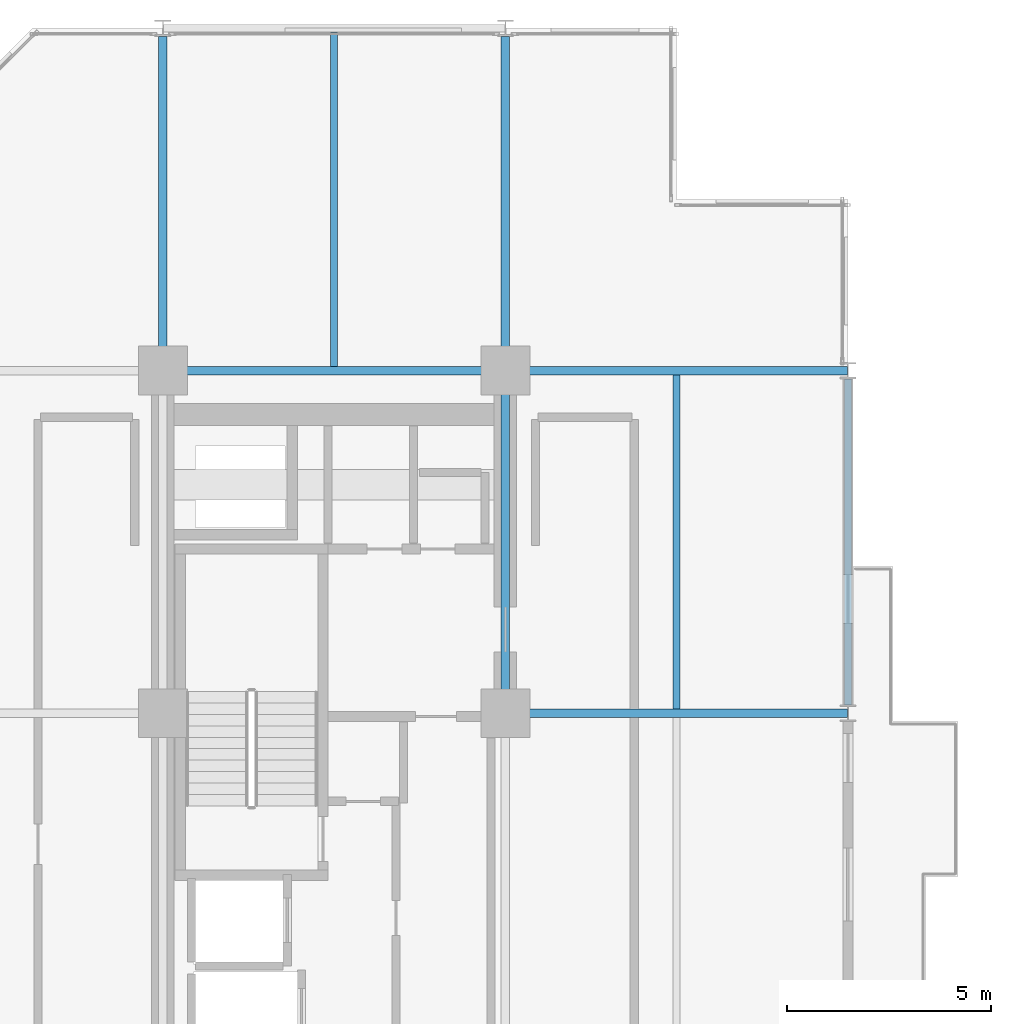
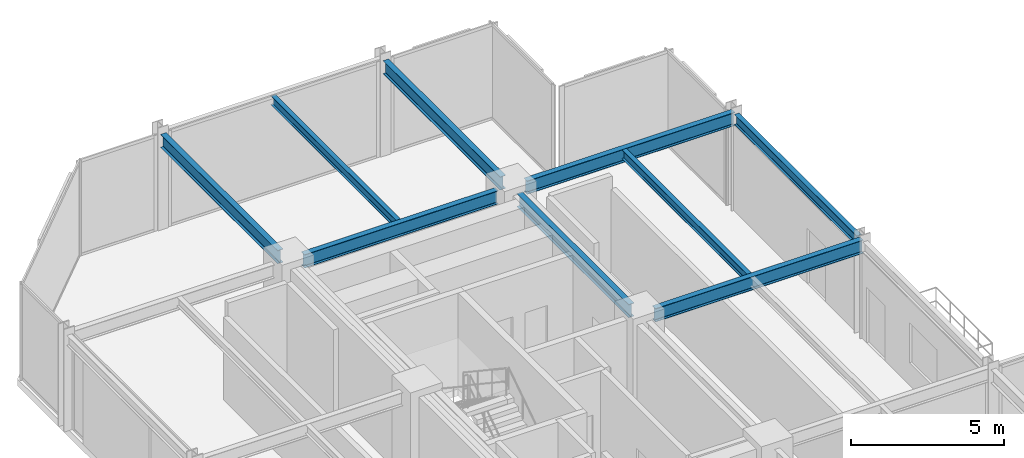
# One storey, part 19 of 29: 9 beams.
"""IFC4 building model written with IfcOpenShell, lengths in metres."""

from ifc_helpers import new_model, si_unit, direction, frame, origin, origin_2d, place, context, subcontext, project, spatial, i_section, extrude, material, material_profile, profile_set, type_object, element, save


model = new_model("IFC4")

# Units and contexts
model_context = context("Model", 3, precision=1e-05, world=origin(), true_north=direction((0.0, 1.0)))
body_context = subcontext(model_context, "Body", "Model", "MODEL_VIEW")
ifc_project = project(units=[si_unit("LENGTHUNIT", "METRE"), si_unit("AREAUNIT", "SQUARE_METRE"), si_unit("VOLUMEUNIT", "CUBIC_METRE"), si_unit("PLANEANGLEUNIT", "RADIAN"), si_unit("MASSUNIT", "GRAM", prefix="KILO")], contexts=[model_context])

# Site, building, storey
site_placement = place(None, origin())
site = spatial("IfcSite", under=ifc_project, at=site_placement, CompositionType="ELEMENT")
building_placement = place(site_placement, origin())
building = spatial("IfcBuilding", under=site, at=building_placement, Name="Nerrivon Quay Data Exchange", CompositionType="ELEMENT")
storey_placement = place(building_placement, frame((0.0, 0.0, 150.0)))
storey = spatial("IfcBuildingStorey", under=building, at=storey_placement, Name="L35", CompositionType="ELEMENT", Elevation=150.0)

# Beams
ifc_material = material(Name="Steel Grade 350", Category="steel")
ifc_material_profile_1 = material_profile(ifc_material, i_section(OverallWidth=0.208984375, OverallDepth=0.532958984375, WebThickness=0.01025390625, FlangeThickness=0.015625, FilletRadius=0.013916015625, at=origin_2d()), Name="530UB92.4")
ifc_profile_set_1 = profile_set([ifc_material_profile_1], Name="Steel Grade 350")
beam_type_1 = type_object("IfcBeamType", Name="BM-G3-530UB92", PredefinedType="BEAM", material=ifc_profile_set_1)
beam_1_placement = place(storey_placement, frame((17.340087890625, 33.60009765625, 3.55859375), z_axis=(1.0, 0.0, 0.0), x_axis=(0.0, 1.0, 0.0)))
element("IfcBeam", 1, at=beam_1_placement, inside=storey, type_object=beam_type_1, Name="L35 EW Girder Y=33.6 (16.8..25.2)", PredefinedType="BEAM", context=body_context, shape_type="SweptSolid", body=[
    extrude(i_section(OverallWidth=0.208984375, OverallDepth=0.532958984375, WebThickness=0.01025390625, FlangeThickness=0.015625, FilletRadius=0.013916015625, at=origin_2d()), origin(), (0.0, 0.0, 1.0), 7.847412109375),
])
beam_2_placement = place(storey_placement, frame((8.93994140625, 42.0, 3.55859375), z_axis=(1.0, 0.0, 0.0), x_axis=(0.0, 1.0, 0.0)))
element("IfcBeam", 2, at=beam_2_placement, inside=storey, type_object=beam_type_1, Name="L35 EW Girder Y=42.0 (8.4..16.8)", PredefinedType="BEAM", context=body_context, shape_type="SweptSolid", body=[
    extrude(i_section(OverallWidth=0.208984375, OverallDepth=0.532958984375, WebThickness=0.01025390625, FlangeThickness=0.015625, FilletRadius=0.013916015625, at=origin_2d()), origin(), (0.0, 0.0, 1.0), 7.320068359375),
])
beam_3_placement = place(storey_placement, frame((17.340087890625, 42.0, 3.55859375), z_axis=(1.0, 0.0, 0.0), x_axis=(0.0, 1.0, 0.0)))
element("IfcBeam", 3, at=beam_3_placement, inside=storey, type_object=beam_type_1, Name="L35 EW Girder Y=42.0 (16.8..25.2)", PredefinedType="BEAM", context=body_context, shape_type="SweptSolid", body=[
    extrude(i_section(OverallWidth=0.208984375, OverallDepth=0.532958984375, WebThickness=0.01025390625, FlangeThickness=0.015625, FilletRadius=0.013916015625, at=origin_2d()), origin(), (0.0, 0.0, 1.0), 7.847412109375),
])
ifc_material_profile_2 = material_profile(ifc_material, i_section(OverallWidth=0.208984375, OverallDepth=0.528076171875, WebThickness=0.009521484375, FlangeThickness=0.01318359375, FilletRadius=0.013916015625, at=origin_2d()), Name="530UB82.0")
ifc_profile_set_2 = profile_set([ifc_material_profile_2], Name="Steel Grade 350")
beam_type_2 = type_object("IfcBeamType", Name="BM-G4-530UB82", PredefinedType="BEAM", material=ifc_profile_set_2)
beam_4_placement = place(storey_placement, frame((8.39990234375, 42.5400390625, 3.56103515625), z_axis=(0.0, 1.0, 0.0), x_axis=(-1.0, 0.0, 0.0)))
element("IfcBeam", 4, at=beam_4_placement, inside=storey, type_object=beam_type_2, Name="L35 NS Girder X=8.4 (42.0..50.4)", PredefinedType="BEAM", context=body_context, shape_type="SweptSolid", body=[
    extrude(i_section(OverallWidth=0.208984375, OverallDepth=0.528076171875, WebThickness=0.009521484375, FlangeThickness=0.01318359375, FilletRadius=0.013916015625, at=origin_2d()), origin(), (0.0, 0.0, 1.0), 7.659912109375),
])
beam_5_placement = place(storey_placement, frame((16.800048828125, 34.139892578125, 3.56103515625), z_axis=(0.0, 1.0, 0.0), x_axis=(-1.0, 0.0, 0.0)))
element("IfcBeam", 5, at=beam_5_placement, inside=storey, type_object=beam_type_2, Name="L35 NS Girder X=16.8 (33.6..42.0)", PredefinedType="BEAM", context=body_context, shape_type="SweptSolid", body=[
    extrude(i_section(OverallWidth=0.208984375, OverallDepth=0.528076171875, WebThickness=0.009521484375, FlangeThickness=0.01318359375, FilletRadius=0.013916015625, at=origin_2d()), origin(), (0.0, 0.0, 1.0), 7.320068359375),
])
beam_6_placement = place(storey_placement, frame((16.800048828125, 42.5400390625, 3.56103515625), z_axis=(0.0, 1.0, 0.0), x_axis=(-1.0, 0.0, 0.0)))
element("IfcBeam", 6, at=beam_6_placement, inside=storey, type_object=beam_type_2, Name="L35 NS Girder X=16.8 (42.0..50.4)", PredefinedType="BEAM", context=body_context, shape_type="SweptSolid", body=[
    extrude(i_section(OverallWidth=0.208984375, OverallDepth=0.528076171875, WebThickness=0.009521484375, FlangeThickness=0.01318359375, FilletRadius=0.013916015625, at=origin_2d()), origin(), (0.0, 0.0, 1.0), 7.659912109375),
])
ifc_material_profile_3 = material_profile(ifc_material, i_section(OverallWidth=0.1708984375, OverallDepth=0.35595703125, WebThickness=0.00732421875, FlangeThickness=0.011474609375, FilletRadius=0.011474609375, at=origin_2d()), Name="360UB50.7")
ifc_profile_set_3 = profile_set([ifc_material_profile_3], Name="Steel Grade 350")
beam_type_3 = type_object("IfcBeamType", Name="BM-J4-360UB51", PredefinedType="JOIST", material=ifc_profile_set_3)
beam_7_placement = place(storey_placement, frame((12.60009765625, 42.1044921875, 3.64697265625), z_axis=(0.0, 1.0, 0.0), x_axis=(-1.0, 0.0, 0.0)))
element("IfcBeam", 7, at=beam_7_placement, inside=storey, type_object=beam_type_3, Name="L35 Secondary Joist X=12.6 (42.0..50.4)", PredefinedType="JOIST", context=body_context, shape_type="SweptSolid", body=[
    extrude(i_section(OverallWidth=0.1708984375, OverallDepth=0.35595703125, WebThickness=0.00732421875, FlangeThickness=0.011474609375, FilletRadius=0.011474609375, at=origin_2d()), origin(), (0.0, 0.0, 1.0), 8.20654296875),
])
beam_8_placement = place(storey_placement, frame((21.0, 33.70458984375, 3.64697265625), z_axis=(0.0, 1.0, 0.0), x_axis=(-1.0, 0.0, 0.0)))
element("IfcBeam", 8, at=beam_8_placement, inside=storey, type_object=beam_type_3, Name="L35 Secondary Joist X=21.0 (33.6..42.0)", PredefinedType="JOIST", context=body_context, shape_type="SweptSolid", body=[
    extrude(i_section(OverallWidth=0.1708984375, OverallDepth=0.35595703125, WebThickness=0.00732421875, FlangeThickness=0.011474609375, FilletRadius=0.011474609375, at=origin_2d()), origin(), (0.0, 0.0, 1.0), 8.19091796875),
])
ifc_material_profile_4 = material_profile(ifc_material, i_section(OverallWidth=0.177978515625, OverallDepth=0.403076171875, WebThickness=0.007568359375, FlangeThickness=0.010986328125, FilletRadius=0.011474609375, at=origin_2d()), Name="410UB53.7")
ifc_profile_set_4 = profile_set([ifc_material_profile_4], Name="Steel Grade 350")
beam_type_4 = type_object("IfcBeamType", Name="BM-SP2-410UB54", PredefinedType="SPANDREL", material=ifc_profile_set_4)
beam_9_placement = place(storey_placement, frame((25.199951171875, 33.800048828125, 3.62353515625), z_axis=(0.0, 1.0, 0.0), x_axis=(-1.0, 0.0, 0.0)))
element("IfcBeam", 9, at=beam_9_placement, inside=storey, type_object=beam_type_4, Name="L35 NS Girder X=25.2 (33.6..42.0)", PredefinedType="SPANDREL", context=body_context, shape_type="SweptSolid", body=[
    extrude(i_section(OverallWidth=0.177978515625, OverallDepth=0.403076171875, WebThickness=0.007568359375, FlangeThickness=0.010986328125, FilletRadius=0.011474609375, at=origin_2d()), origin(), (0.0, 0.0, 1.0), 8.0),
])

save(model, "model.ifc")
